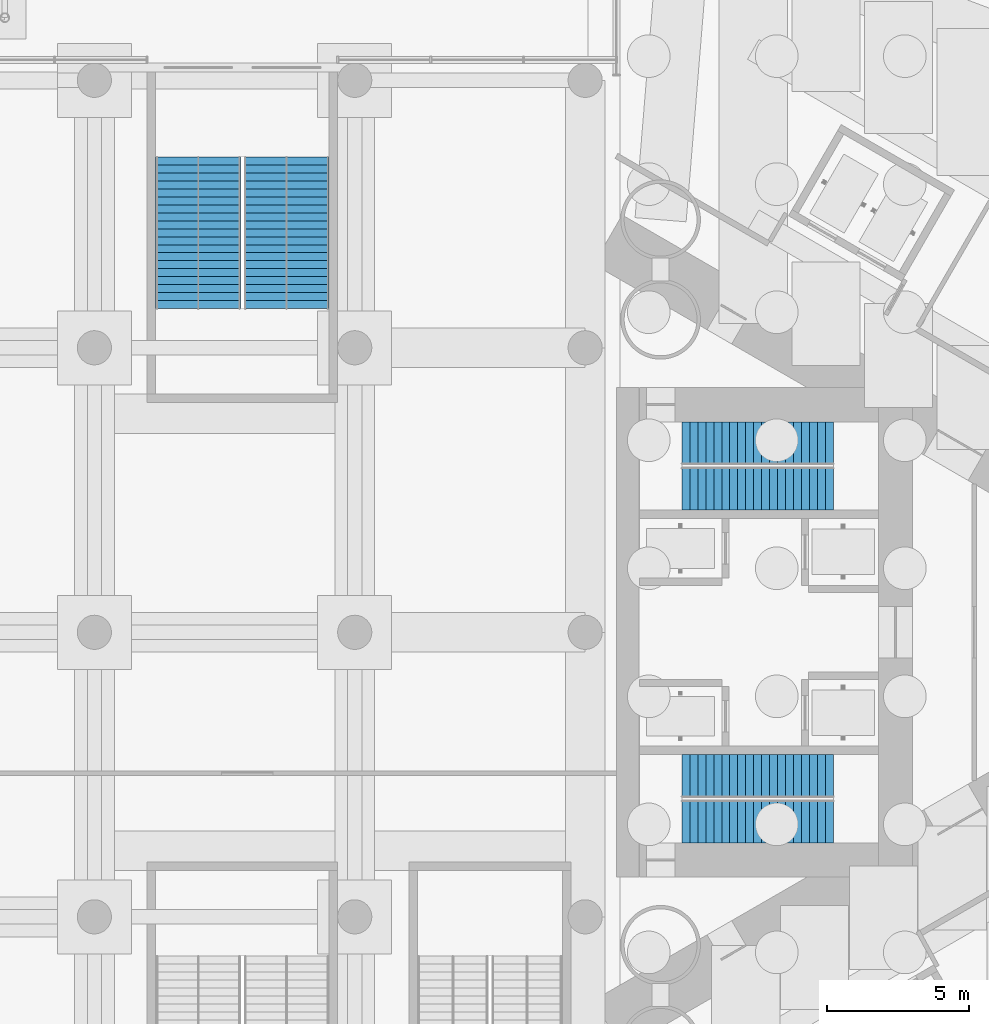
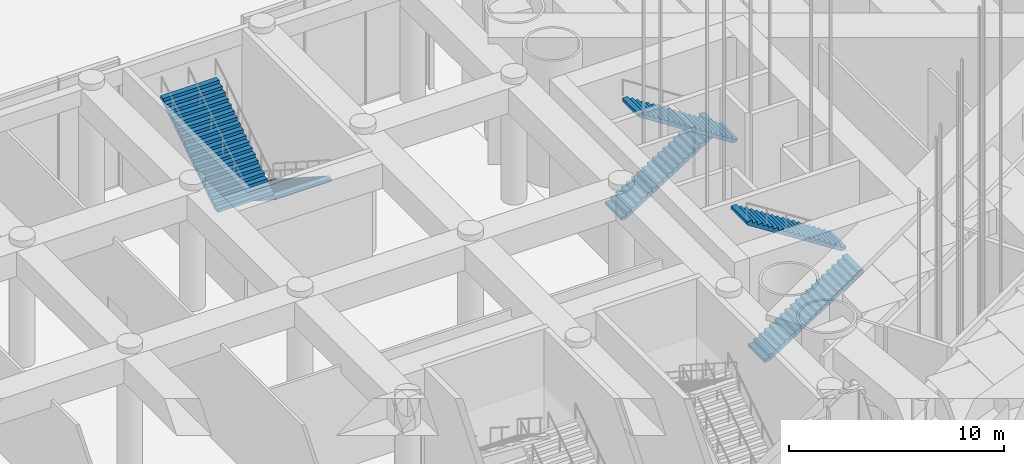
# One storey, part 26 of 43: 6 stair flights, 3 elements without a shape of their own.
"""IFC4 building model written with IfcOpenShell, lengths in metres."""

import ifcopenshell
import ifcopenshell.guid

model = None  # the IFC model being written
_history = None  # IfcOwnerHistory: only IFC2X3 demands one
_inside = {}  # id of a spatial element -> (the spatial element, [elements in it])
_under = {}  # id of a project, library or spatial element -> (it, [spatial elements below it])
_declared = {}  # id of a project -> (the project, [libraries it declares])
_typed = {}  # id of a type object -> (the type object, [elements of that type])
_made_of = {}  # id of a material, layer set ... -> (it, [elements and type objects made of it])


def new_model(schema):
    """Start an empty IFC model of exactly this schema.

    Asked for "IFC4X3", IfcOpenShell would pick the latest addendum, in which some entities
    have other attributes; the version numbers below select the first issue.
    IFC2X3 requires an IfcOwnerHistory on every rooted entity: one is made here for all.
    """
    global model, _history
    if schema == "IFC4X3":
        model = ifcopenshell.file(schema_version=(4, 3, 0, 0))
    else:
        model = ifcopenshell.file(schema=schema)
    _inside.clear()
    _under.clear()
    _declared.clear()
    _typed.clear()
    _made_of.clear()
    _history = None
    if model.schema == "IFC2X3":
        org = make("IfcOrganization", Name="unknown")
        user = make(
            "IfcPersonAndOrganization",
            ThePerson=make("IfcPerson", FamilyName="unknown"),
            TheOrganization=org,
        )
        app = make(
            "IfcApplication",
            ApplicationDeveloper=org,
            Version="unknown",
            ApplicationFullName="unknown",
            ApplicationIdentifier="unknown",
        )
        _history = make(
            "IfcOwnerHistory",
            OwningUser=user,
            OwningApplication=app,
            ChangeAction="ADDED",
            CreationDate=0,
        )
    return model


def make(cls, **values):
    """One entity of the class cls with the attributes given. An attribute that is None is left unset."""
    return model.create_entity(
        cls, **{name: value for name, value in values.items() if value is not None}
    )


def rooted(cls, **values):
    """An entity with a GlobalId (a new one), such as an element, a storey or a relation."""
    return make(cls, GlobalId=ifcopenshell.guid.new(), OwnerHistory=_history, **values)


def si_unit(unit_type, name, prefix=None):
    """IfcSIUnit, for example si_unit("LENGTHUNIT", "METRE", prefix="MILLI")."""
    return make("IfcSIUnit", UnitType=unit_type, Prefix=prefix, Name=name)


def assignment(units):
    """IfcUnitAssignment: the units of a project."""
    return None if units is None else make("IfcUnitAssignment", Units=units)


def point(xyz):
    """IfcCartesianPoint."""
    return None if xyz is None else make("IfcCartesianPoint", Coordinates=xyz)


def direction(xyz):
    """IfcDirection."""
    return None if xyz is None else make("IfcDirection", DirectionRatios=xyz)


def frame(location, z_axis=None, x_axis=None):
    """IfcAxis2Placement3D, a coordinate frame: its origin and axes. An axis left out is left unset."""
    return make(
        "IfcAxis2Placement3D",
        Location=point(location),
        Axis=direction(z_axis),
        RefDirection=direction(x_axis),
    )


def origin():
    """The frame at (0, 0, 0) with its axes left unset."""
    return frame((0.0, 0.0, 0.0))


def place(relative_to, where):
    """IfcLocalPlacement: puts the frame where relative to a parent placement (None: the world)."""
    return make(
        "IfcLocalPlacement", PlacementRelTo=relative_to, RelativePlacement=where
    )


def context(
    kind, dimensions, precision=None, world=None, true_north=None, identifier=None
):
    """IfcGeometricRepresentationContext, for example the 3D "Model" context."""
    return make(
        "IfcGeometricRepresentationContext",
        ContextIdentifier=identifier,
        ContextType=kind,
        CoordinateSpaceDimension=dimensions,
        Precision=precision,
        WorldCoordinateSystem=world,
        TrueNorth=true_north,
    )


def subcontext(parent, identifier, kind, view, scale=None):
    """IfcGeometricRepresentationSubContext, for example "Body" below "Model"."""
    return make(
        "IfcGeometricRepresentationSubContext",
        ContextIdentifier=identifier,
        ContextType=kind,
        ParentContext=parent,
        TargetScale=scale,
        TargetView=view,
    )


def project(units=None, contexts=None):
    """IfcProject with its units and contexts."""
    return rooted(
        "IfcProject",
        Name="project",
        RepresentationContexts=contexts,
        UnitsInContext=assignment(units),
    )


def spatial(cls, under=None, at=None, **own):
    """A site, building, storey or space (cls), placed at a placement, below another one or the project."""
    s = rooted(cls, ObjectPlacement=at, **own)
    if under is not None:
        _under.setdefault(under.id(), (under, []))[1].append(s)
    return s


def polyline(points):
    """IfcPolyline through the points."""
    return make("IfcPolyline", Points=[point(p) for p in points])


def outline(outer, holes=None, kind="AREA"):
    """IfcArbitraryClosedProfileDef: a profile drawn as a closed curve; with holes, ...WithVoids."""
    if holes is None:
        return make("IfcArbitraryClosedProfileDef", ProfileType=kind, OuterCurve=outer)
    return make(
        "IfcArbitraryProfileDefWithVoids",
        ProfileType=kind,
        OuterCurve=outer,
        InnerCurves=holes,
    )


def extrude(swept, where, along, depth):
    """IfcExtrudedAreaSolid: the profile swept, set in the frame where, extruded along a direction by depth."""
    return make(
        "IfcExtrudedAreaSolid",
        SweptArea=swept,
        Position=where,
        ExtrudedDirection=direction(along),
        Depth=depth,
    )


def shape(context_of_items, identifier, shape_type, items):
    """IfcShapeRepresentation: the items that make up one representation, for example the "Body"."""
    return make(
        "IfcShapeRepresentation",
        ContextOfItems=context_of_items,
        RepresentationIdentifier=identifier,
        RepresentationType=shape_type,
        Items=items,
    )


def material(Name=None, Category=None):
    """IfcMaterial."""
    return make("IfcMaterial", Name=Name, Category=Category)


def made_of(thing, what):
    """Note that an element or type object is made of a material, layer set ...; save() writes the relation."""
    if what is not None:
        _made_of.setdefault(what.id(), (what, []))[1].append(thing)
    return thing


def type_object(cls, material=None, **own):
    """A type object (cls), such as IfcWallType, which elements share."""
    return made_of(rooted(cls, **own), material)


def element(
    cls,
    number,
    at=None,
    inside=None,
    cuts=None,
    type_object=None,
    material=None,
    context=None,
    identifier="Body",
    shape_type=None,
    held_by="IfcProductDefinitionShape",
    body=None,
    shapes=None,
    **own,
):
    """One element of the class cls, such as IfcWall. Its Tag is "e" and its number.

    at: its placement. inside: the storey or other place that contains it. cuts: it is an
    opening in that element (IfcRelVoidsElement). A single representation is given by context,
    identifier, shape_type and body (its items); several are given by shapes. held_by: the class
    of the entity that holds the representations. save() writes the other relations.
    """
    e = rooted(cls, Tag="e%d" % number, ObjectPlacement=at, **own)
    if body is not None:
        shapes = [shape(context, identifier, shape_type, body)]
    if shapes is not None:
        e.Representation = make(held_by, Representations=shapes)
    if inside is not None:
        _inside.setdefault(inside.id(), (inside, []))[1].append(e)
    if cuts is not None:
        rooted(
            "IfcRelVoidsElement", RelatingBuildingElement=cuts, RelatedOpeningElement=e
        )
    if type_object is not None:
        _typed.setdefault(type_object.id(), (type_object, []))[1].append(e)
    return made_of(e, material)


def aggregate(whole, parts):
    """IfcRelAggregates: a whole, such as a stair, and the parts it consists of."""
    return rooted("IfcRelAggregates", RelatingObject=whole, RelatedObjects=parts)


def save(model, path):
    """Write the relations noted so far, then the file.

    IfcRelAggregates (storeys below a building ...), IfcRelContainedInSpatialStructure (elements
    in a storey), IfcRelDefinesByType, IfcRelAssociatesMaterial and IfcRelDeclares: one each for
    every whole, place, type object, material and project.
    """
    for whole, parts in _under.values():
        aggregate(whole, parts)
    for where, things in _inside.values():
        rooted(
            "IfcRelContainedInSpatialStructure",
            RelatedElements=things,
            RelatingStructure=where,
        )
    for kind, things in _typed.values():
        rooted("IfcRelDefinesByType", RelatedObjects=things, RelatingType=kind)
    for what, things in _made_of.values():
        rooted("IfcRelAssociatesMaterial", RelatedObjects=things, RelatingMaterial=what)
    for by, libraries in _declared.values():
        rooted("IfcRelDeclares", RelatingContext=by, RelatedDefinitions=libraries)
    model.write(path)


model = new_model("IFC4")

# Units and contexts
model_context = context("Model", 3, precision=1e-05, world=origin(), true_north=direction((0.0, 1.0)))
body_context = subcontext(model_context, "Body", "Model", "MODEL_VIEW")
ifc_project = project(units=[si_unit("LENGTHUNIT", "METRE"), si_unit("AREAUNIT", "SQUARE_METRE"), si_unit("VOLUMEUNIT", "CUBIC_METRE"), si_unit("PLANEANGLEUNIT", "RADIAN"), si_unit("MASSUNIT", "GRAM", prefix="KILO")], contexts=[model_context])

# Site, building, storey
site_placement = place(None, origin())
site = spatial("IfcSite", under=ifc_project, at=site_placement, CompositionType="ELEMENT")
building_placement = place(site_placement, origin())
building = spatial("IfcBuilding", under=site, at=building_placement, Name="Lancet Gate Hotel", CompositionType="ELEMENT")
storey_placement = place(building_placement, origin())
storey = spatial("IfcBuildingStorey", under=building, at=storey_placement, Name="L00", CompositionType="ELEMENT", Elevation=0.0)

# Stair, stair flights
ifc_material_1 = material(Name="Exit stair 40 risers 1500")
stair_type_1 = type_object("IfcStairType", Name="Exit stair 40 risers 1500", PredefinedType="HALF_TURN_STAIR", material=ifc_material_1)
stair_1_placement = place(storey_placement, origin())
stair_1 = element("IfcStair", 1, at=stair_1_placement, inside=storey, type_object=stair_type_1, Name="T2 stair 1 L00", PredefinedType="HALF_TURN_STAIR")
ifc_material_2 = material(Name="Stair flight 20 risers 180 rise 1500")
stair_flight_type_1 = type_object("IfcStairFlightType", Name="Stair flight 20 risers 180 rise 1500", PredefinedType="STRAIGHT", material=ifc_material_2)
stair_flight_1_placement = place(storey_placement, frame((29.800048828125, -6.64990234375, 0.0), z_axis=(0.0, 0.0, 1.0), x_axis=(1.0, 0.0, 0.0)))
stair_flight_1 = element("IfcStairFlight", 2, at=stair_flight_1_placement, type_object=stair_flight_type_1, Name="ST3 flight 1", NumberOfRisers=20, NumberOfTreads=19, PredefinedType="STRAIGHT", RiserHeight=0.18, TreadLength=0.28, context=body_context, shape_type="SweptSolid", body=[
    extrude(outline(polyline([(0.0, 0.0), (0.0, 0.179931640625), (0.280029296875, 0.179931640625), (0.280029296875, 0.360107421875), (0.56005859375, 0.360107421875), (0.56005859375, 0.5400390625), (0.840087890625, 0.5400390625), (0.840087890625, 0.719970703125), (1.1201171875, 0.719970703125), (1.1201171875, 0.89990234375), (1.39990234375, 0.89990234375), (1.39990234375, 1.080078125), (1.679931640625, 1.080078125), (1.679931640625, 1.260009765625), (1.9599609375, 1.260009765625), (1.9599609375, 1.43994140625), (2.239990234375, 1.43994140625), (2.239990234375, 1.6201171875), (2.52001953125, 1.6201171875), (2.52001953125, 1.800048828125), (2.800048828125, 1.800048828125), (2.800048828125, 1.97998046875), (3.080078125, 1.97998046875), (3.080078125, 2.159912109375), (3.360107421875, 2.159912109375), (3.360107421875, 2.340087890625), (3.639892578125, 2.340087890625), (3.639892578125, 2.52001953125), (3.919921875, 2.52001953125), (3.919921875, 2.699951171875), (4.199951171875, 2.699951171875), (4.199951171875, 2.8798828125), (4.47998046875, 2.8798828125), (4.47998046875, 3.06005859375), (4.760009765625, 3.06005859375), (4.760009765625, 3.239990234375), (5.0400390625, 3.239990234375), (5.0400390625, 3.419921875), (5.320068359375, 3.419921875), (5.320068359375, 3.60009765625), (5.320068359375, 3.24169921875), (0.277099609375, 0.0), (0.0, 0.0)])), frame((0.0, 0.75, 0.0), z_axis=(0.0, -1.0, 0.0), x_axis=(1.0, 0.0, 0.0)), (0.0, 0.0, 1.0), 1.5),
])
stair_flight_2_placement = place(storey_placement, frame((35.1201171875, -5.050048828125, 3.60009765625), z_axis=(0.0, 0.0, 1.0), x_axis=(-1.0, 0.0, 0.0)))
stair_flight_2 = element("IfcStairFlight", 3, at=stair_flight_2_placement, type_object=stair_flight_type_1, Name="ST3 flight 2", NumberOfRisers=20, NumberOfTreads=19, PredefinedType="STRAIGHT", RiserHeight=0.18, TreadLength=0.28, context=body_context, shape_type="SweptSolid", body=[
    extrude(outline(polyline([(0.0, 0.0), (0.0, 0.179931640625), (0.280029296875, 0.179931640625), (0.280029296875, 0.360107421875), (0.56005859375, 0.360107421875), (0.56005859375, 0.5400390625), (0.840087890625, 0.5400390625), (0.840087890625, 0.719970703125), (1.1201171875, 0.719970703125), (1.1201171875, 0.89990234375), (1.39990234375, 0.89990234375), (1.39990234375, 1.080078125), (1.679931640625, 1.080078125), (1.679931640625, 1.260009765625), (1.9599609375, 1.260009765625), (1.9599609375, 1.43994140625), (2.239990234375, 1.43994140625), (2.239990234375, 1.6201171875), (2.52001953125, 1.6201171875), (2.52001953125, 1.800048828125), (2.800048828125, 1.800048828125), (2.800048828125, 1.97998046875), (3.080078125, 1.97998046875), (3.080078125, 2.159912109375), (3.360107421875, 2.159912109375), (3.360107421875, 2.340087890625), (3.639892578125, 2.340087890625), (3.639892578125, 2.52001953125), (3.919921875, 2.52001953125), (3.919921875, 2.699951171875), (4.199951171875, 2.699951171875), (4.199951171875, 2.8798828125), (4.47998046875, 2.8798828125), (4.47998046875, 3.06005859375), (4.760009765625, 3.06005859375), (4.760009765625, 3.239990234375), (5.0400390625, 3.239990234375), (5.0400390625, 3.419921875), (5.320068359375, 3.419921875), (5.320068359375, 3.60009765625), (5.320068359375, 3.24169921875), (0.277099609375, 0.0), (0.0, 0.0)])), frame((0.0, 0.75, 0.0), z_axis=(0.0, -1.0, 0.0), x_axis=(1.0, 0.0, 0.0)), (0.0, 0.0, 1.0), 1.5),
])
aggregate(stair_1, [stair_flight_1, stair_flight_2])

stair_2_placement = place(storey_placement, origin())
stair_2 = element("IfcStair", 4, at=stair_2_placement, inside=storey, type_object=stair_type_1, Name="T2 stair 2 L00", PredefinedType="HALF_TURN_STAIR")
stair_flight_3_placement = place(storey_placement, frame((29.800048828125, 6.64990234375, 0.0), z_axis=(0.0, 0.0, 1.0), x_axis=(1.0, 0.0, 0.0)))
stair_flight_3 = element("IfcStairFlight", 5, at=stair_flight_3_placement, type_object=stair_flight_type_1, Name="ST4 flight 1", NumberOfRisers=20, NumberOfTreads=19, PredefinedType="STRAIGHT", RiserHeight=0.18, TreadLength=0.28, context=body_context, shape_type="SweptSolid", body=[
    extrude(outline(polyline([(0.0, 0.0), (0.0, 0.179931640625), (0.280029296875, 0.179931640625), (0.280029296875, 0.360107421875), (0.56005859375, 0.360107421875), (0.56005859375, 0.5400390625), (0.840087890625, 0.5400390625), (0.840087890625, 0.719970703125), (1.1201171875, 0.719970703125), (1.1201171875, 0.89990234375), (1.39990234375, 0.89990234375), (1.39990234375, 1.080078125), (1.679931640625, 1.080078125), (1.679931640625, 1.260009765625), (1.9599609375, 1.260009765625), (1.9599609375, 1.43994140625), (2.239990234375, 1.43994140625), (2.239990234375, 1.6201171875), (2.52001953125, 1.6201171875), (2.52001953125, 1.800048828125), (2.800048828125, 1.800048828125), (2.800048828125, 1.97998046875), (3.080078125, 1.97998046875), (3.080078125, 2.159912109375), (3.360107421875, 2.159912109375), (3.360107421875, 2.340087890625), (3.639892578125, 2.340087890625), (3.639892578125, 2.52001953125), (3.919921875, 2.52001953125), (3.919921875, 2.699951171875), (4.199951171875, 2.699951171875), (4.199951171875, 2.8798828125), (4.47998046875, 2.8798828125), (4.47998046875, 3.06005859375), (4.760009765625, 3.06005859375), (4.760009765625, 3.239990234375), (5.0400390625, 3.239990234375), (5.0400390625, 3.419921875), (5.320068359375, 3.419921875), (5.320068359375, 3.60009765625), (5.320068359375, 3.24169921875), (0.277099609375, 0.0), (0.0, 0.0)])), frame((0.0, 0.75, 0.0), z_axis=(0.0, -1.0, 0.0), x_axis=(1.0, 0.0, 0.0)), (0.0, 0.0, 1.0), 1.5),
])
stair_flight_4_placement = place(storey_placement, frame((35.1201171875, 5.050048828125, 3.60009765625), z_axis=(0.0, 0.0, 1.0), x_axis=(-1.0, 0.0, 0.0)))
stair_flight_4 = element("IfcStairFlight", 6, at=stair_flight_4_placement, type_object=stair_flight_type_1, Name="ST4 flight 2", NumberOfRisers=20, NumberOfTreads=19, PredefinedType="STRAIGHT", RiserHeight=0.18, TreadLength=0.28, context=body_context, shape_type="SweptSolid", body=[
    extrude(outline(polyline([(0.0, 0.0), (0.0, 0.179931640625), (0.280029296875, 0.179931640625), (0.280029296875, 0.360107421875), (0.56005859375, 0.360107421875), (0.56005859375, 0.5400390625), (0.840087890625, 0.5400390625), (0.840087890625, 0.719970703125), (1.1201171875, 0.719970703125), (1.1201171875, 0.89990234375), (1.39990234375, 0.89990234375), (1.39990234375, 1.080078125), (1.679931640625, 1.080078125), (1.679931640625, 1.260009765625), (1.9599609375, 1.260009765625), (1.9599609375, 1.43994140625), (2.239990234375, 1.43994140625), (2.239990234375, 1.6201171875), (2.52001953125, 1.6201171875), (2.52001953125, 1.800048828125), (2.800048828125, 1.800048828125), (2.800048828125, 1.97998046875), (3.080078125, 1.97998046875), (3.080078125, 2.159912109375), (3.360107421875, 2.159912109375), (3.360107421875, 2.340087890625), (3.639892578125, 2.340087890625), (3.639892578125, 2.52001953125), (3.919921875, 2.52001953125), (3.919921875, 2.699951171875), (4.199951171875, 2.699951171875), (4.199951171875, 2.8798828125), (4.47998046875, 2.8798828125), (4.47998046875, 3.06005859375), (4.760009765625, 3.06005859375), (4.760009765625, 3.239990234375), (5.0400390625, 3.239990234375), (5.0400390625, 3.419921875), (5.320068359375, 3.419921875), (5.320068359375, 3.60009765625), (5.320068359375, 3.24169921875), (0.277099609375, 0.0), (0.0, 0.0)])), frame((0.0, 0.75, 0.0), z_axis=(0.0, -1.0, 0.0), x_axis=(1.0, 0.0, 0.0)), (0.0, 0.0, 1.0), 1.5),
])
aggregate(stair_2, [stair_flight_3, stair_flight_4])

ifc_material_3 = material(Name="Podium stair 40 risers 3000")
stair_type_2 = type_object("IfcStairType", Name="Podium stair 40 risers 3000", PredefinedType="HALF_TURN_STAIR", material=ifc_material_3)
stair_3_placement = place(storey_placement, origin())
stair_3 = element("IfcStair", 7, at=stair_3_placement, inside=storey, type_object=stair_type_2, Name="Podium stair PS2 L00", PredefinedType="HALF_TURN_STAIR")
ifc_material_4 = material(Name="Stair flight 20 risers 180 rise 3000")
stair_flight_type_2 = type_object("IfcStairFlightType", Name="Stair flight 20 risers 180 rise 3000", PredefinedType="STRAIGHT", material=ifc_material_4)
stair_flight_5_placement = place(storey_placement, frame((15.89990234375, 16.699951171875, 0.0), z_axis=(0.0, 0.0, 1.0), x_axis=(0.0, -1.0, 0.0)))
stair_flight_5 = element("IfcStairFlight", 8, at=stair_flight_5_placement, type_object=stair_flight_type_2, Name="PS2 flight 1", NumberOfRisers=20, NumberOfTreads=19, PredefinedType="STRAIGHT", RiserHeight=0.18, TreadLength=0.28, context=body_context, shape_type="SweptSolid", body=[
    extrude(outline(polyline([(0.0, 0.0), (0.0, 0.179931640625), (0.280029296875, 0.179931640625), (0.280029296875, 0.360107421875), (0.56005859375, 0.360107421875), (0.56005859375, 0.5400390625), (0.840087890625, 0.5400390625), (0.840087890625, 0.719970703125), (1.1201171875, 0.719970703125), (1.1201171875, 0.89990234375), (1.39990234375, 0.89990234375), (1.39990234375, 1.080078125), (1.679931640625, 1.080078125), (1.679931640625, 1.260009765625), (1.9599609375, 1.260009765625), (1.9599609375, 1.43994140625), (2.239990234375, 1.43994140625), (2.239990234375, 1.6201171875), (2.52001953125, 1.6201171875), (2.52001953125, 1.800048828125), (2.800048828125, 1.800048828125), (2.800048828125, 1.97998046875), (3.080078125, 1.97998046875), (3.080078125, 2.159912109375), (3.360107421875, 2.159912109375), (3.360107421875, 2.340087890625), (3.639892578125, 2.340087890625), (3.639892578125, 2.52001953125), (3.919921875, 2.52001953125), (3.919921875, 2.699951171875), (4.199951171875, 2.699951171875), (4.199951171875, 2.8798828125), (4.47998046875, 2.8798828125), (4.47998046875, 3.06005859375), (4.760009765625, 3.06005859375), (4.760009765625, 3.239990234375), (5.0400390625, 3.239990234375), (5.0400390625, 3.419921875), (5.320068359375, 3.419921875), (5.320068359375, 3.60009765625), (5.320068359375, 3.24169921875), (0.277099609375, 0.0), (0.0, 0.0)])), frame((0.0, 1.5, 0.0), z_axis=(0.0, -1.0, 0.0), x_axis=(1.0, 0.0, 0.0)), (0.0, 0.0, 1.0), 3.0),
])
stair_flight_6_placement = place(storey_placement, frame((12.800048828125, 11.3798828125, 3.60009765625), z_axis=(0.0, 0.0, 1.0), x_axis=(0.0, 1.0, 0.0)))
stair_flight_6 = element("IfcStairFlight", 9, at=stair_flight_6_placement, type_object=stair_flight_type_2, Name="PS2 flight 2", NumberOfRisers=20, NumberOfTreads=19, PredefinedType="STRAIGHT", RiserHeight=0.18, TreadLength=0.28, context=body_context, shape_type="SweptSolid", body=[
    extrude(outline(polyline([(0.0, 0.0), (0.0, 0.179931640625), (0.280029296875, 0.179931640625), (0.280029296875, 0.360107421875), (0.56005859375, 0.360107421875), (0.56005859375, 0.5400390625), (0.840087890625, 0.5400390625), (0.840087890625, 0.719970703125), (1.1201171875, 0.719970703125), (1.1201171875, 0.89990234375), (1.39990234375, 0.89990234375), (1.39990234375, 1.080078125), (1.679931640625, 1.080078125), (1.679931640625, 1.260009765625), (1.9599609375, 1.260009765625), (1.9599609375, 1.43994140625), (2.239990234375, 1.43994140625), (2.239990234375, 1.6201171875), (2.52001953125, 1.6201171875), (2.52001953125, 1.800048828125), (2.800048828125, 1.800048828125), (2.800048828125, 1.97998046875), (3.080078125, 1.97998046875), (3.080078125, 2.159912109375), (3.360107421875, 2.159912109375), (3.360107421875, 2.340087890625), (3.639892578125, 2.340087890625), (3.639892578125, 2.52001953125), (3.919921875, 2.52001953125), (3.919921875, 2.699951171875), (4.199951171875, 2.699951171875), (4.199951171875, 2.8798828125), (4.47998046875, 2.8798828125), (4.47998046875, 3.06005859375), (4.760009765625, 3.06005859375), (4.760009765625, 3.239990234375), (5.0400390625, 3.239990234375), (5.0400390625, 3.419921875), (5.320068359375, 3.419921875), (5.320068359375, 3.60009765625), (5.320068359375, 3.24169921875), (0.277099609375, 0.0), (0.0, 0.0)])), frame((0.0, 1.5, 0.0), z_axis=(0.0, -1.0, 0.0), x_axis=(1.0, 0.0, 0.0)), (0.0, 0.0, 1.0), 3.0),
])
aggregate(stair_3, [stair_flight_5, stair_flight_6])

save(model, "model.ifc")
